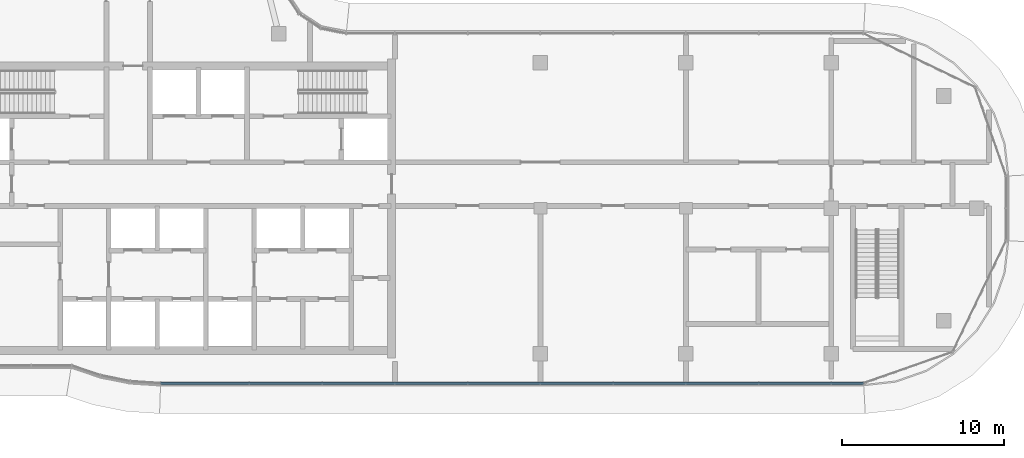
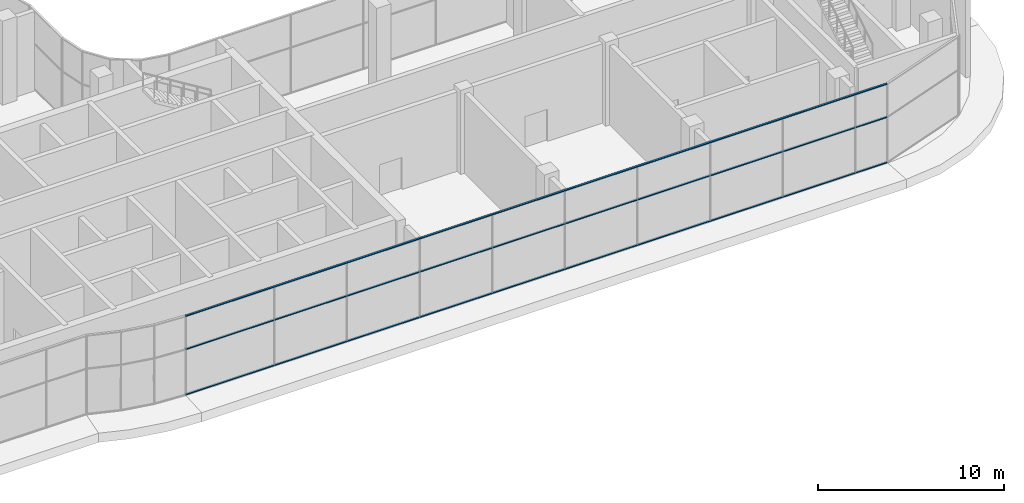
# One storey, part 5 of 23: 3 members, 1 element without a shape of its own.
"""IFC4 building model written with IfcOpenShell, lengths in metres."""

from ifc_helpers import new_model, si_unit, direction, frame, origin, origin_2d, place, context, subcontext, project, spatial, rectangle, extrude, material, material_profile, profile_set, type_object, element, aggregate, save


model = new_model("IFC4")

# Units and contexts
model_context = context("Model", 3, precision=1e-05, world=origin(), true_north=direction((0.0, 1.0)))
body_context = subcontext(model_context, "Body", "Model", "MODEL_VIEW")
ifc_project = project(units=[si_unit("LENGTHUNIT", "METRE"), si_unit("AREAUNIT", "SQUARE_METRE"), si_unit("VOLUMEUNIT", "CUBIC_METRE"), si_unit("PLANEANGLEUNIT", "RADIAN"), si_unit("MASSUNIT", "GRAM", prefix="KILO")], contexts=[model_context])

# Site, building, storey
site_placement = place(None, origin())
site = spatial("IfcSite", under=ifc_project, at=site_placement, CompositionType="ELEMENT")
building_placement = place(site_placement, origin())
building = spatial("IfcBuilding", under=site, at=building_placement, Name="Ogive Portal Towers", CompositionType="ELEMENT")
storey_placement = place(building_placement, frame((0.0, 0.0, 249.39990234375)))
storey = spatial("IfcBuildingStorey", under=building, at=storey_placement, Name="L62", CompositionType="ELEMENT", Elevation=249.39990234375)

# Curtain wall, members
ifc_material_1 = material(Name="Glass, clear low-iron insulated glazing", Category="glass")
curtain_wall_type = type_object("IfcCurtainWallType", Name="CW OBSERVATION WALL", PredefinedType="NOTDEFINED", material=ifc_material_1)
curtain_wall_placement = place(storey_placement, origin())
curtain_wall = element("IfcCurtainWall", 1, at=curtain_wall_placement, inside=storey, type_object=curtain_wall_type, Name="A:L62:f07:cw0", PredefinedType="NOTDEFINED")
ifc_material_2 = material(Name="Aluminium 6063 anodised", Category="aluminium")
ifc_material_profile = material_profile(ifc_material_2, rectangle(XDim=0.1201171875, YDim=0.06005859375, at=origin_2d()), Name="AL 120x60")
ifc_profile_set = profile_set([ifc_material_profile], Name="Aluminium 6063 anodised")
member_type = type_object("IfcMemberType", Name="CW TRANSOM 60x120", PredefinedType="USERDEFINED", material=ifc_profile_set)
member_1_placement = place(storey_placement, frame((44.002685546875, 19.679931640625, 0.030029296875), z_axis=(1.0, 0.0, 0.0), x_axis=(0.0, 1.0, 0.0)))
member_1 = element("IfcMember", 2, at=member_1_placement, type_object=member_type, Name="transom", ObjectType="TRANSOM", PredefinedType="USERDEFINED", context=body_context, shape_type="SweptSolid", body=[
    extrude(rectangle(XDim=0.1201171875, YDim=0.06005859375, at=origin_2d()), origin(), (0.0, 0.0, 1.0), 43.483642578125),
])
member_2_placement = place(storey_placement, frame((44.002685546875, 19.679931640625, 3.0), z_axis=(1.0, 0.0, 0.0), x_axis=(0.0, 1.0, 0.0)))
member_2 = element("IfcMember", 3, at=member_2_placement, type_object=member_type, Name="transom", ObjectType="TRANSOM", PredefinedType="USERDEFINED", context=body_context, shape_type="SweptSolid", body=[
    extrude(rectangle(XDim=0.1201171875, YDim=0.06005859375, at=origin_2d()), origin(), (0.0, 0.0, 1.0), 43.483642578125),
])
member_3_placement = place(storey_placement, frame((44.002685546875, 19.679931640625, 5.170166015625), z_axis=(1.0, 0.0, 0.0), x_axis=(0.0, 1.0, 0.0)))
member_3 = element("IfcMember", 4, at=member_3_placement, type_object=member_type, Name="transom", ObjectType="TRANSOM", PredefinedType="USERDEFINED", context=body_context, shape_type="SweptSolid", body=[
    extrude(rectangle(XDim=0.1201171875, YDim=0.06005859375, at=origin_2d()), origin(), (0.0, 0.0, 1.0), 43.483642578125),
])
aggregate(curtain_wall, [member_1, member_2, member_3])

save(model, "model.ifc")
